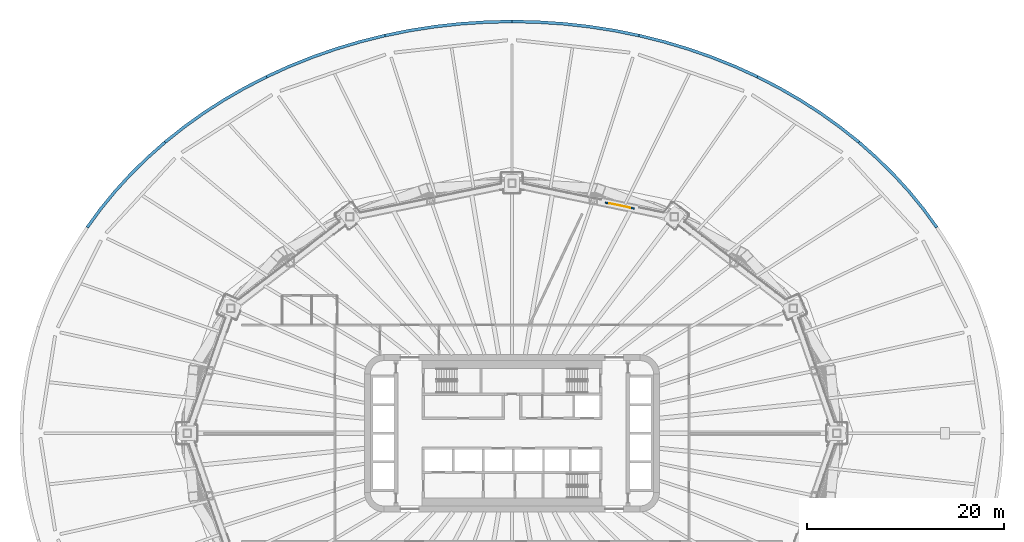
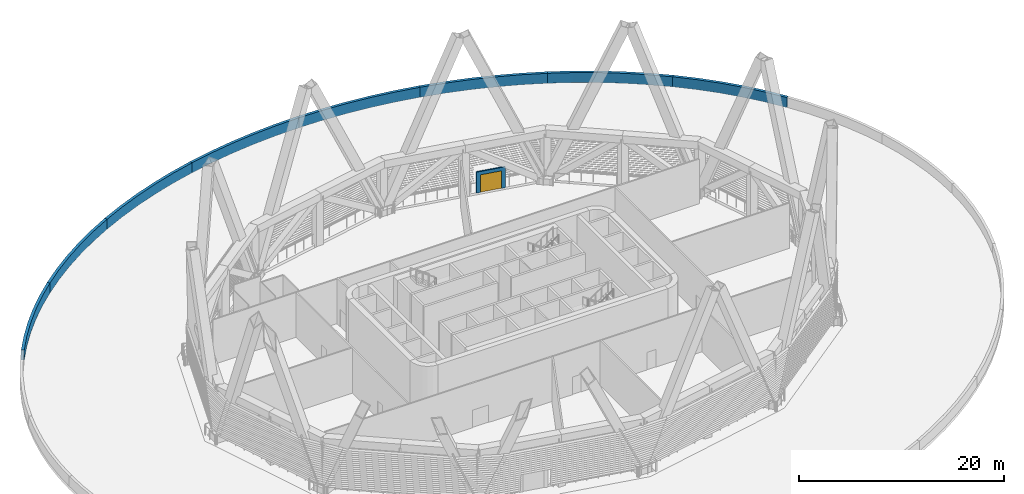
# One storey, part 12 of 27: 9 walls, 1 door, 1 opening.
"""IFC4 building model written with IfcOpenShell, lengths in metres."""

from ifc_helpers import new_model, si_unit, direction, frame, frame_2d, origin, place, context, subcontext, project, spatial, polyline, rectangle, outline, extrude, material, layer, layer_set, type_object, element, fill, save


model = new_model("IFC4")

# Units and contexts
model_context = context("Model", 3, precision=1e-05, world=origin(), true_north=direction((0.0, 1.0)))
body_context = subcontext(model_context, "Body", "Model", "MODEL_VIEW")
ifc_project = project(units=[si_unit("LENGTHUNIT", "METRE"), si_unit("AREAUNIT", "SQUARE_METRE"), si_unit("VOLUMEUNIT", "CUBIC_METRE"), si_unit("PLANEANGLEUNIT", "RADIAN"), si_unit("MASSUNIT", "GRAM", prefix="KILO")], contexts=[model_context])

# Site, building, storey
site_placement = place(None, origin())
site = spatial("IfcSite", under=ifc_project, at=site_placement, CompositionType="ELEMENT")
building_placement = place(site_placement, origin())
building = spatial("IfcBuilding", under=site, at=building_placement, Name="Sahrelin Media Tower", CompositionType="ELEMENT")
storey_placement = place(building_placement, frame((0.0, 0.0, 44.0)))
storey = spatial("IfcBuildingStorey", under=building, at=storey_placement, Name="L06", CompositionType="ELEMENT", Elevation=44.0)

# Wall, opening, door
ifc_material_1 = material(Name="Aluminium louvre cladding 6063-T6", Category="aluminium")
ifc_layer_1 = layer(ifc_material_1, 0.14990234375)
ifc_layer_set_1 = layer_set([ifc_layer_1], Name="Plant louvre door wall")
wall_type_1 = type_object("IfcWallType", Name="Plant louvre door wall", PredefinedType="SOLIDWALL", material=ifc_layer_set_1)
wall_1_placement = place(storey_placement, frame((9.48779296875, 23.443115234375, 0.0), z_axis=(0.0, 0.0, 1.0), x_axis=(0.97938938672, -0.20198125948, 0.0)))
wall_1 = element("IfcWall", 1, at=wall_1_placement, inside=storey, type_object=wall_type_1, Name="Plant louvre door wall L06-05", PredefinedType="SOLIDWALL", context=body_context, shape_type="SweptSolid", body=[
    extrude(rectangle(XDim=3.0, YDim=0.14990234375, at=frame_2d((1.5, 0.0))), origin(), (0.0, 0.0, 1.0), 2.5),
])
opening_placement = place(wall_1_placement, frame((0.39990234375, 0.0, 0.0)))
opening = element("IfcOpeningElement", 2, at=opening_placement, cuts=wall_1, Name="Opening MD01", PredefinedType="OPENING", context=body_context, shape_type="SweptSolid", body=[
    extrude(rectangle(XDim=2.199951171875, YDim=2.10009765625, at=frame_2d((1.10009765625, 1.050048828125))), frame((0.0, 0.074951171875, 0.0), z_axis=(0.0, -1.0, 0.0), x_axis=(1.0, 0.0, 0.0)), (0.0, 0.0, 1.0), 0.14990234375),
])
ifc_material_2 = material(Name="Champagne anodised aluminium 6063-T6", Category="aluminium")
door_type = type_object("IfcDoorType", Name="Plant maintenance door 2200x2100", OperationType="DOUBLE_DOOR_SINGLE_SWING", PredefinedType="DOOR", material=ifc_material_2)
door_placement = place(opening_placement, origin())
door = element("IfcDoor", 3, at=door_placement, inside=storey, type_object=door_type, Name="Plant maintenance door MD01", OperationType="DOUBLE_DOOR_SINGLE_SWING", OverallHeight=2.10009765625, OverallWidth=2.199951171875, PredefinedType="DOOR", context=body_context, shape_type="SweptSolid", body=[
    extrude(rectangle(XDim=2.199951171875, YDim=2.10009765625, at=frame_2d((1.10009765625, 1.050048828125))), frame((0.0, 0.02490234375, 0.0), z_axis=(0.0, -1.0, 0.0), x_axis=(1.0, 0.0, 0.0)), (0.0, 0.0, 1.0), 0.050048828125),
])
fill(opening, door)

# Walls
ifc_material_3 = material(Name="Concrete C40/50", Category="concrete")
ifc_layer_2 = layer(ifc_material_3, 0.300048828125)
ifc_layer_set_2 = layer_set([ifc_layer_2], Name="Podium parapet")
wall_type_2 = type_object("IfcWallType", Name="Podium parapet", PredefinedType="PARAPET", material=ifc_layer_set_2)
placement = place(storey_placement, origin())
element("IfcWall", 4, at=placement, inside=storey, type_object=wall_type_2, Name="Podium roof parapet 3", PredefinedType="PARAPET", context=body_context, shape_type="SweptSolid", body=[
    extrude(outline(polyline([(43.30126953125, 21.0), (41.93359375, 22.874755859375), (40.45068359375, 24.68701171875), (38.857421875, 26.431396484375), (37.1572265625, 28.103515625), (35.355224609375, 29.698486328125), (35.162353515625, 29.46875), (36.95263671875, 27.884033203125), (38.641357421875, 26.223388671875), (40.223876953125, 24.49072265625), (41.6962890625, 22.69140625), (43.05419921875, 20.830078125), (43.30126953125, 21.0)])), origin(), (0.0, 0.0, 1.0), 1.199951171875),
])
element("IfcWall", 5, at=placement, inside=storey, type_object=wall_type_2, Name="Podium roof parapet 4", PredefinedType="PARAPET", context=body_context, shape_type="SweptSolid", body=[
    extrude(outline(polyline([(35.355224609375, 29.698486328125), (33.45654296875, 31.212158203125), (31.466064453125, 32.64013671875), (29.389404296875, 33.978759765625), (27.23193359375, 35.22412109375), (25.0, 36.373046875), (24.869140625, 36.103271484375), (27.08837890625, 34.960693359375), (29.23291015625, 33.72265625), (31.29736328125, 32.39208984375), (33.275390625, 30.972900390625), (35.162353515625, 29.46875), (35.355224609375, 29.698486328125)])), origin(), (0.0, 0.0, 1.0), 1.199951171875),
])
element("IfcWall", 6, at=placement, inside=storey, type_object=wall_type_2, Name="Podium roof parapet 5", PredefinedType="PARAPET", context=body_context, shape_type="SweptSolid", body=[
    extrude(outline(polyline([(25.0, 36.373046875), (22.699462890625, 37.42236328125), (20.3369140625, 38.368896484375), (17.91845703125, 39.21044921875), (15.45068359375, 39.9443359375), (12.94091796875, 40.56884765625), (12.875, 40.276123046875), (15.371826171875, 39.655029296875), (17.826416015625, 38.9248046875), (20.231689453125, 38.087890625), (22.58154296875, 37.146484375), (24.869140625, 36.103271484375), (25.0, 36.373046875)])), origin(), (0.0, 0.0, 1.0), 1.199951171875),
])
element("IfcWall", 7, at=placement, inside=storey, type_object=wall_type_2, Name="Podium roof parapet 6", PredefinedType="PARAPET", context=body_context, shape_type="SweptSolid", body=[
    extrude(outline(polyline([(12.94091796875, 40.56884765625), (10.3955078125, 41.082275390625), (7.82177734375, 41.48291015625), (5.226318359375, 41.77001953125), (2.61669921875, 41.9423828125), (0.0, 42.0), (0.0, 41.699951171875), (2.603515625, 41.642578125), (5.199951171875, 41.47119140625), (7.781982421875, 41.185546875), (10.343017578125, 40.786865234375), (12.875, 40.276123046875), (12.94091796875, 40.56884765625)])), origin(), (0.0, 0.0, 1.0), 1.199951171875),
])
element("IfcWall", 8, at=placement, inside=storey, type_object=wall_type_2, Name="Podium roof parapet 7", PredefinedType="PARAPET", context=body_context, shape_type="SweptSolid", body=[
    extrude(outline(polyline([(0.0, 42.0), (-2.61669921875, 41.9423828125), (-5.226318359375, 41.77001953125), (-7.82177734375, 41.48291015625), (-10.3955078125, 41.082275390625), (-12.94091796875, 40.56884765625), (-12.875, 40.276123046875), (-10.343017578125, 40.786865234375), (-7.781982421875, 41.185546875), (-5.199951171875, 41.47119140625), (-2.603515625, 41.642578125), (0.0, 41.699951171875), (0.0, 42.0)])), origin(), (0.0, 0.0, 1.0), 1.199951171875),
])
element("IfcWall", 9, at=placement, inside=storey, type_object=wall_type_2, Name="Podium roof parapet 8", PredefinedType="PARAPET", context=body_context, shape_type="SweptSolid", body=[
    extrude(outline(polyline([(-12.94091796875, 40.56884765625), (-15.45068359375, 39.9443359375), (-17.91845703125, 39.21044921875), (-20.3369140625, 38.368896484375), (-22.699462890625, 37.42236328125), (-25.0, 36.373046875), (-24.869140625, 36.103271484375), (-22.58154296875, 37.146484375), (-20.231689453125, 38.087890625), (-17.826416015625, 38.9248046875), (-15.371826171875, 39.655029296875), (-12.875, 40.276123046875), (-12.94091796875, 40.56884765625)])), origin(), (0.0, 0.0, 1.0), 1.199951171875),
])
element("IfcWall", 10, at=placement, inside=storey, type_object=wall_type_2, Name="Podium roof parapet 9", PredefinedType="PARAPET", context=body_context, shape_type="SweptSolid", body=[
    extrude(outline(polyline([(-25.0, 36.373046875), (-27.23193359375, 35.22412109375), (-29.389404296875, 33.978759765625), (-31.466064453125, 32.64013671875), (-33.45654296875, 31.212158203125), (-35.355224609375, 29.698486328125), (-35.162353515625, 29.46875), (-33.275390625, 30.972900390625), (-31.29736328125, 32.39208984375), (-29.23291015625, 33.72265625), (-27.08837890625, 34.960693359375), (-24.869140625, 36.103271484375), (-25.0, 36.373046875)])), origin(), (0.0, 0.0, 1.0), 1.199951171875),
])
element("IfcWall", 11, at=placement, inside=storey, type_object=wall_type_2, Name="Podium roof parapet 10", PredefinedType="PARAPET", context=body_context, shape_type="SweptSolid", body=[
    extrude(outline(polyline([(-35.355224609375, 29.698486328125), (-37.1572265625, 28.103515625), (-38.857421875, 26.431396484375), (-40.45068359375, 24.68701171875), (-41.93359375, 22.874755859375), (-43.30126953125, 21.0), (-43.05419921875, 20.830078125), (-41.6962890625, 22.69140625), (-40.223876953125, 24.49072265625), (-38.641357421875, 26.223388671875), (-36.95263671875, 27.884033203125), (-35.162353515625, 29.46875), (-35.355224609375, 29.698486328125)])), origin(), (0.0, 0.0, 1.0), 1.199951171875),
])

save(model, "model.ifc")
